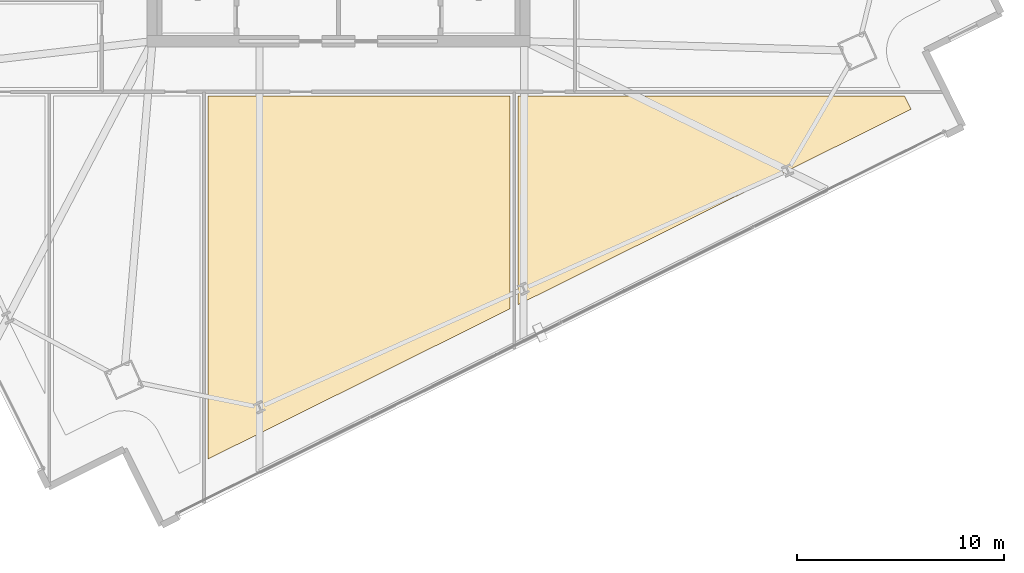
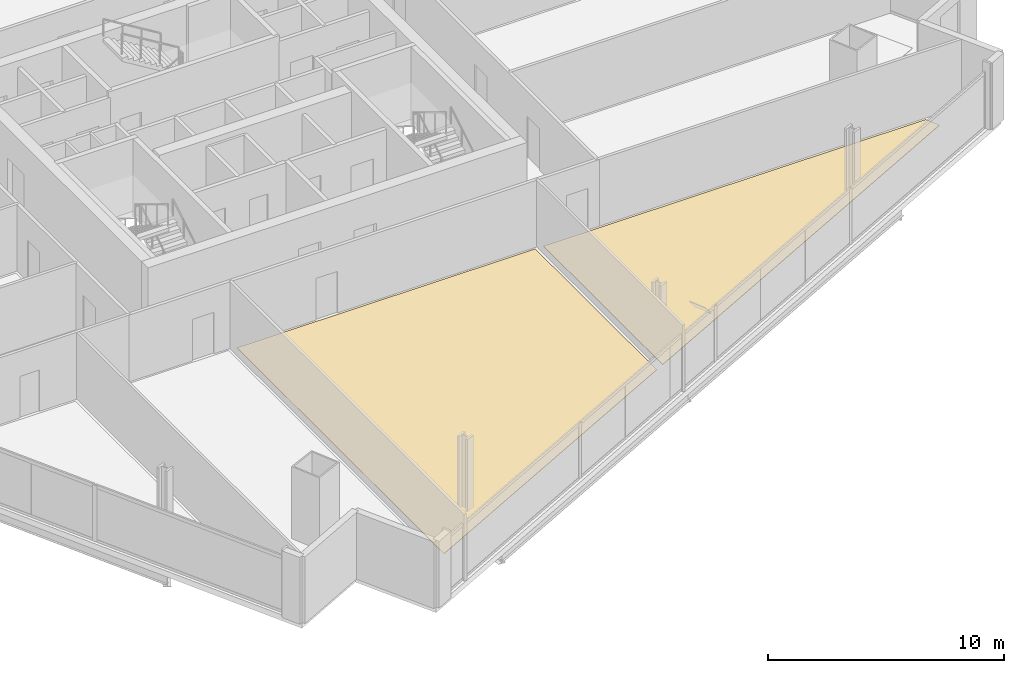
# One storey, part 30 of 35: 2 coverings.
"""IFC4 building model written with IfcOpenShell, lengths in metres."""

from ifc_helpers import new_model, si_unit, direction, frame, origin, place, context, subcontext, project, spatial, polyline, outline, extrude, material, layer, layer_set, type_object, element, save


model = new_model("IFC4")

# Units and contexts
model_context = context("Model", 3, precision=1e-05, world=origin(), true_north=direction((0.0, 1.0)))
body_context = subcontext(model_context, "Body", "Model", "MODEL_VIEW")
ifc_project = project(units=[si_unit("LENGTHUNIT", "METRE"), si_unit("AREAUNIT", "SQUARE_METRE"), si_unit("VOLUMEUNIT", "CUBIC_METRE"), si_unit("PLANEANGLEUNIT", "RADIAN"), si_unit("MASSUNIT", "GRAM", prefix="KILO")], contexts=[model_context])

# Site, building, storey
site_placement = place(None, origin())
site = spatial("IfcSite", under=ifc_project, at=site_placement, CompositionType="ELEMENT")
building_placement = place(site_placement, origin())
building = spatial("IfcBuilding", under=site, at=building_placement, Name="Haldenkirk Collegiate Tower", CompositionType="ELEMENT")
storey_placement = place(building_placement, frame((0.0, 0.0, 116.699951171875)))
storey = spatial("IfcBuildingStorey", under=building, at=storey_placement, Name="L28", CompositionType="ELEMENT", Elevation=116.699951171875)

# Coverings
ifc_material_1 = material(Name="Polished collegiate terrazzo", Category="concrete")
ifc_layer_1 = layer(ifc_material_1, 0.02490234375)
ifc_layer_set_1 = layer_set([ifc_layer_1], Name="Polished collegiate terrazzo")
covering_type_1 = type_object("IfcCoveringType", Name="COV-FLOOR-TERRAZZO", PredefinedType="FLOORING", material=ifc_layer_set_1)
covering_1_placement = place(storey_placement, origin())
element("IfcCovering", 1, at=covering_1_placement, inside=storey, type_object=covering_type_1, Name="L28 academic room finish 04", PredefinedType="FLOORING", context=body_context, shape_type="SweptSolid", body=[
    extrude(outline(polyline([(63.711181640625, 14.705810546875), (44.699951171875, 5.247802734375), (44.699951171875, 15.35009765625), (63.390869140625, 15.35009765625), (63.711181640625, 14.705810546875)])), origin(), (0.0, 0.0, 1.0), 0.025146484375),
])
ifc_material_2 = material(Name="Engineered collegiate oak acoustic flooring", Category="wood")
ifc_layer_2 = layer(ifc_material_2, 0.02197265625)
ifc_layer_set_2 = layer_set([ifc_layer_2], Name="Engineered collegiate oak acoustic flooring")
covering_type_2 = type_object("IfcCoveringType", Name="COV-FLOOR-TIMBER", PredefinedType="FLOORING", material=ifc_layer_set_2)
covering_2_placement = place(storey_placement, origin())
element("IfcCovering", 2, at=covering_2_placement, inside=storey, type_object=covering_type_2, Name="L28 academic room finish 03", PredefinedType="FLOORING", context=body_context, shape_type="SweptSolid", body=[
    extrude(outline(polyline([(29.699951171875, -2.214599609375), (29.699951171875, 15.35009765625), (44.300048828125, 15.35009765625), (44.300048828125, 5.048828125), (29.699951171875, -2.214599609375)])), origin(), (0.0, 0.0, 1.0), 0.02197265625),
])

save(model, "model.ifc")
